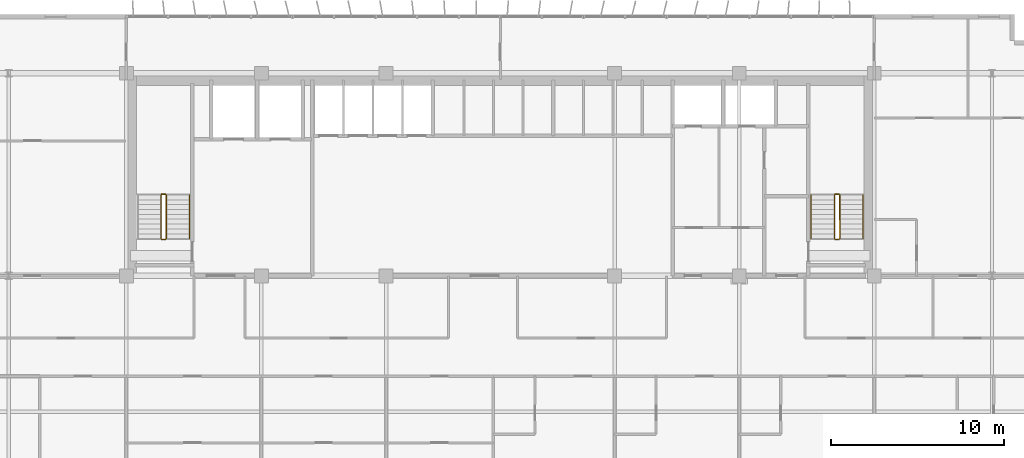
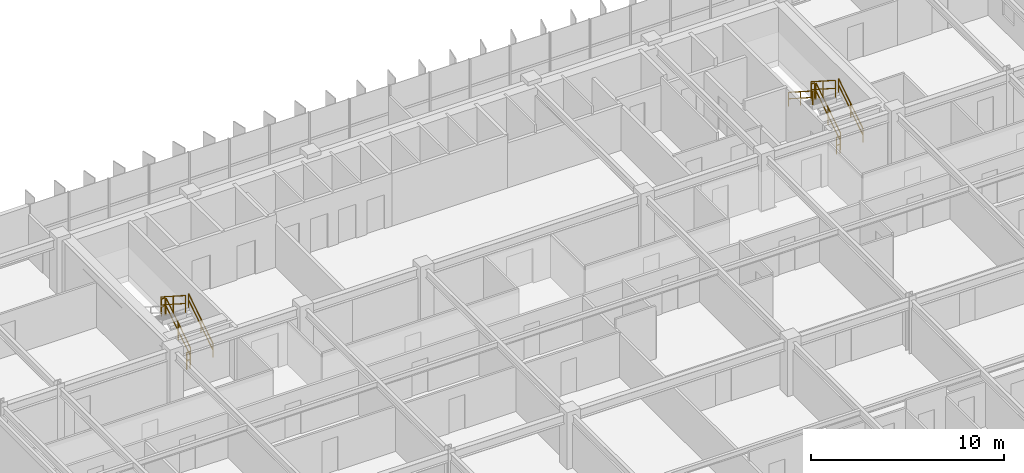
# One storey, part 21 of 22: 11 railings.
"""IFC4 building model written with IfcOpenShell, lengths in metres."""

from ifc_helpers import new_model, si_unit, direction, frame, origin, origin_2d, place, context, subcontext, project, spatial, rectangle, extrude, material, type_object, element, save


model = new_model("IFC4")

# Units and contexts
model_context = context("Model", 3, precision=1e-05, world=origin(), true_north=direction((0.0, 1.0)))
body_context = subcontext(model_context, "Body", "Model", "MODEL_VIEW")
ifc_project = project(units=[si_unit("LENGTHUNIT", "METRE"), si_unit("AREAUNIT", "SQUARE_METRE"), si_unit("VOLUMEUNIT", "CUBIC_METRE"), si_unit("PLANEANGLEUNIT", "RADIAN"), si_unit("MASSUNIT", "GRAM", prefix="KILO")], contexts=[model_context])

# Site, building, storey
site_placement = place(None, origin())
site = spatial("IfcSite", under=ifc_project, at=site_placement, CompositionType="ELEMENT")
building_placement = place(site_placement, origin())
building = spatial("IfcBuilding", under=site, at=building_placement, Name="Trelvane Seafront Commons", CompositionType="ELEMENT")
storey_placement = place(building_placement, frame((0.0, 0.0, 81.699951171875)))
storey = spatial("IfcBuildingStorey", under=building, at=storey_placement, Name="L20", CompositionType="ELEMENT", Elevation=81.699951171875)

# Railings
ifc_material = material(Name="Stainless steel balustrade", Category="steel")
railing_type_1 = type_object("IfcRailingType", Name="ARCH-SRL-GUARD", PredefinedType="GUARDRAIL", material=ifc_material)
railing_1_placement = place(storey_placement, frame((17.89990234375, 35.550048828125, 0.179931640625)))
element("IfcRailing", 1, at=railing_1_placement, inside=storey, type_object=railing_type_1, Name="L20 ST-1 stair guard 1", PredefinedType="GUARDRAIL", context=body_context, shape_type="SweptSolid", body=[
    extrude(rectangle(XDim=0.048095703125, YDim=0.048095703125, at=origin_2d()), frame((0.0, 0.0, 1.076171875), z_axis=(0.0, 0.841162588446, 0.540782303519), x_axis=(-1.0, 0.0, 0.0)), (0.0, 0.0, 1.0), 2.995849609375),
    extrude(rectangle(XDim=0.048095703125, YDim=0.048095703125, at=origin_2d()), frame((0.0, 0.0, 0.572021484375), z_axis=(0.0, 0.841162588446, 0.540782303519), x_axis=(-1.0, 0.0, 0.0)), (0.0, 0.0, 1.0), 2.995849609375),
    extrude(rectangle(XDim=0.0419921875, YDim=0.0419921875, at=origin_2d()), origin(), (0.0, 0.0, 1.0), 1.076171875),
    extrude(rectangle(XDim=0.0419921875, YDim=0.0419921875, at=origin_2d()), frame((0.0, 1.260009765625, 0.81005859375)), (0.0, 0.0, 1.0), 1.076171875),
    extrude(rectangle(XDim=0.0419921875, YDim=0.0419921875, at=origin_2d()), frame((0.0, 2.52001953125, 1.6201171875)), (0.0, 0.0, 1.0), 1.076171875),
])
railing_2_placement = place(storey_placement, frame((17.85009765625, 38.1201171875, 1.800048828125)))
element("IfcRailing", 2, at=railing_2_placement, inside=storey, type_object=railing_type_1, Name="L20 ST-1 stair guard 2", PredefinedType="GUARDRAIL", context=body_context, shape_type="SweptSolid", body=[
    extrude(rectangle(XDim=0.048095703125, YDim=0.048095703125, at=origin_2d()), frame((0.0, 0.0, 1.076171875), z_axis=(-1.0, 0.0, 0.0), x_axis=(0.0, -1.0, 0.0)), (0.0, 0.0, 1.0), 0.2001953125),
    extrude(rectangle(XDim=0.048095703125, YDim=0.048095703125, at=origin_2d()), frame((0.0, 0.0, 0.572021484375), z_axis=(-1.0, 0.0, 0.0), x_axis=(0.0, -1.0, 0.0)), (0.0, 0.0, 1.0), 0.2001953125),
    extrude(rectangle(XDim=0.0419921875, YDim=0.0419921875, at=origin_2d()), origin(), (0.0, 0.0, 1.0), 1.076171875),
    extrude(rectangle(XDim=0.0419921875, YDim=0.0419921875, at=origin_2d()), frame((-0.2001953125, 0.0, 0.0)), (0.0, 0.0, 1.0), 1.076171875),
])
railing_3_placement = place(storey_placement, frame((17.60009765625, 38.070068359375, 1.97998046875)))
element("IfcRailing", 3, at=railing_3_placement, inside=storey, type_object=railing_type_1, Name="L20 ST-1 stair guard 3", PredefinedType="GUARDRAIL", context=body_context, shape_type="SweptSolid", body=[
    extrude(rectangle(XDim=0.048095703125, YDim=0.048095703125, at=origin_2d()), frame((0.0, 0.0, 1.076171875), z_axis=(0.0, -0.841162588446, 0.540782303519), x_axis=(1.0, 0.0, 0.0)), (0.0, 0.0, 1.0), 2.995849609375),
    extrude(rectangle(XDim=0.048095703125, YDim=0.048095703125, at=origin_2d()), frame((0.0, 0.0, 0.572021484375), z_axis=(0.0, -0.841162588446, 0.540782303519), x_axis=(1.0, 0.0, 0.0)), (0.0, 0.0, 1.0), 2.995849609375),
    extrude(rectangle(XDim=0.0419921875, YDim=0.0419921875, at=origin_2d()), origin(), (0.0, 0.0, 1.0), 1.076171875),
    extrude(rectangle(XDim=0.0419921875, YDim=0.0419921875, at=origin_2d()), frame((0.0, -1.260009765625, 0.81005859375)), (0.0, 0.0, 1.0), 1.076171875),
    extrude(rectangle(XDim=0.0419921875, YDim=0.0419921875, at=origin_2d()), frame((0.0, -2.52001953125, 1.6201171875)), (0.0, 0.0, 1.0), 1.076171875),
])
railing_4_placement = place(storey_placement, frame((17.85009765625, 35.5, 0.0)))
element("IfcRailing", 4, at=railing_4_placement, inside=storey, type_object=railing_type_1, Name="L20 ST-1 stair guard 4", PredefinedType="GUARDRAIL", context=body_context, shape_type="SweptSolid", body=[
    extrude(rectangle(XDim=0.048095703125, YDim=0.048095703125, at=origin_2d()), frame((0.0, 0.0, 1.076171875), z_axis=(-1.0, 0.0, 0.0), x_axis=(0.0, -1.0, 0.0)), (0.0, 0.0, 1.0), 0.2001953125),
    extrude(rectangle(XDim=0.048095703125, YDim=0.048095703125, at=origin_2d()), frame((0.0, 0.0, 0.572021484375), z_axis=(-1.0, 0.0, 0.0), x_axis=(0.0, -1.0, 0.0)), (0.0, 0.0, 1.0), 0.2001953125),
    extrude(rectangle(XDim=0.0419921875, YDim=0.0419921875, at=origin_2d()), origin(), (0.0, 0.0, 1.0), 1.076171875),
    extrude(rectangle(XDim=0.0419921875, YDim=0.0419921875, at=origin_2d()), frame((-0.2001953125, 0.0, 0.0)), (0.0, 0.0, 1.0), 1.076171875),
])
railing_5_placement = place(storey_placement, frame((56.800048828125, 35.550048828125, 0.179931640625)))
element("IfcRailing", 5, at=railing_5_placement, inside=storey, type_object=railing_type_1, Name="L20 ST-2 stair guard 1", PredefinedType="GUARDRAIL", context=body_context, shape_type="SweptSolid", body=[
    extrude(rectangle(XDim=0.048095703125, YDim=0.048095703125, at=origin_2d()), frame((0.0, 0.0, 1.076171875), z_axis=(0.0, 0.841162588446, 0.540782303519), x_axis=(-1.0, 0.0, 0.0)), (0.0, 0.0, 1.0), 2.995849609375),
    extrude(rectangle(XDim=0.048095703125, YDim=0.048095703125, at=origin_2d()), frame((0.0, 0.0, 0.572021484375), z_axis=(0.0, 0.841162588446, 0.540782303519), x_axis=(-1.0, 0.0, 0.0)), (0.0, 0.0, 1.0), 2.995849609375),
    extrude(rectangle(XDim=0.0419921875, YDim=0.0419921875, at=origin_2d()), origin(), (0.0, 0.0, 1.0), 1.076171875),
    extrude(rectangle(XDim=0.0419921875, YDim=0.0419921875, at=origin_2d()), frame((0.0, 1.260009765625, 0.81005859375)), (0.0, 0.0, 1.0), 1.076171875),
    extrude(rectangle(XDim=0.0419921875, YDim=0.0419921875, at=origin_2d()), frame((0.0, 2.52001953125, 1.6201171875)), (0.0, 0.0, 1.0), 1.076171875),
])
railing_6_placement = place(storey_placement, frame((56.75, 38.1201171875, 1.800048828125)))
element("IfcRailing", 6, at=railing_6_placement, inside=storey, type_object=railing_type_1, Name="L20 ST-2 stair guard 2", PredefinedType="GUARDRAIL", context=body_context, shape_type="SweptSolid", body=[
    extrude(rectangle(XDim=0.048095703125, YDim=0.048095703125, at=origin_2d()), frame((0.0, 0.0, 1.076171875), z_axis=(-1.0, 0.0, 0.0), x_axis=(0.0, -1.0, 0.0)), (0.0, 0.0, 1.0), 0.199951171875),
    extrude(rectangle(XDim=0.048095703125, YDim=0.048095703125, at=origin_2d()), frame((0.0, 0.0, 0.572021484375), z_axis=(-1.0, 0.0, 0.0), x_axis=(0.0, -1.0, 0.0)), (0.0, 0.0, 1.0), 0.199951171875),
    extrude(rectangle(XDim=0.0419921875, YDim=0.0419921875, at=origin_2d()), origin(), (0.0, 0.0, 1.0), 1.076171875),
    extrude(rectangle(XDim=0.0419921875, YDim=0.0419921875, at=origin_2d()), frame((-0.199951171875, 0.0, 0.0)), (0.0, 0.0, 1.0), 1.076171875),
])
railing_7_placement = place(storey_placement, frame((56.5, 38.070068359375, 1.97998046875)))
element("IfcRailing", 7, at=railing_7_placement, inside=storey, type_object=railing_type_1, Name="L20 ST-2 stair guard 3", PredefinedType="GUARDRAIL", context=body_context, shape_type="SweptSolid", body=[
    extrude(rectangle(XDim=0.048095703125, YDim=0.048095703125, at=origin_2d()), frame((0.0, 0.0, 1.076171875), z_axis=(0.0, -0.841162588446, 0.540782303519), x_axis=(1.0, 0.0, 0.0)), (0.0, 0.0, 1.0), 2.995849609375),
    extrude(rectangle(XDim=0.048095703125, YDim=0.048095703125, at=origin_2d()), frame((0.0, 0.0, 0.572021484375), z_axis=(0.0, -0.841162588446, 0.540782303519), x_axis=(1.0, 0.0, 0.0)), (0.0, 0.0, 1.0), 2.995849609375),
    extrude(rectangle(XDim=0.0419921875, YDim=0.0419921875, at=origin_2d()), origin(), (0.0, 0.0, 1.0), 1.076171875),
    extrude(rectangle(XDim=0.0419921875, YDim=0.0419921875, at=origin_2d()), frame((0.0, -1.260009765625, 0.81005859375)), (0.0, 0.0, 1.0), 1.076171875),
    extrude(rectangle(XDim=0.0419921875, YDim=0.0419921875, at=origin_2d()), frame((0.0, -2.52001953125, 1.6201171875)), (0.0, 0.0, 1.0), 1.076171875),
])
railing_8_placement = place(storey_placement, frame((56.75, 35.5, 0.0)))
element("IfcRailing", 8, at=railing_8_placement, inside=storey, type_object=railing_type_1, Name="L20 ST-2 stair guard 4", PredefinedType="GUARDRAIL", context=body_context, shape_type="SweptSolid", body=[
    extrude(rectangle(XDim=0.048095703125, YDim=0.048095703125, at=origin_2d()), frame((0.0, 0.0, 1.076171875), z_axis=(-1.0, 0.0, 0.0), x_axis=(0.0, -1.0, 0.0)), (0.0, 0.0, 1.0), 0.199951171875),
    extrude(rectangle(XDim=0.048095703125, YDim=0.048095703125, at=origin_2d()), frame((0.0, 0.0, 0.572021484375), z_axis=(-1.0, 0.0, 0.0), x_axis=(0.0, -1.0, 0.0)), (0.0, 0.0, 1.0), 0.199951171875),
    extrude(rectangle(XDim=0.0419921875, YDim=0.0419921875, at=origin_2d()), origin(), (0.0, 0.0, 1.0), 1.076171875),
    extrude(rectangle(XDim=0.0419921875, YDim=0.0419921875, at=origin_2d()), frame((-0.199951171875, 0.0, 0.0)), (0.0, 0.0, 1.0), 1.076171875),
])
railing_type_2 = type_object("IfcRailingType", Name="ARCH-SRL-HAND", PredefinedType="HANDRAIL", material=ifc_material)
for number, where, name in (
    (9, (19.25, 35.550048828125, 0.179931640625), "L20 ST-1 stair handrail 1"),
    (10, (58.14990234375, 35.550048828125, 0.179931640625), "L20 ST-2 stair handrail 1"),
):
    element("IfcRailing", number, at=place(storey_placement, frame(where)), inside=storey, type_object=railing_type_2, Name=name, PredefinedType="HANDRAIL", context=body_context, shape_type="SweptSolid", body=[
        extrude(rectangle(XDim=0.048095703125, YDim=0.048095703125, at=origin_2d()), frame((0.0, 0.0, 0.8759765625), z_axis=(0.0, 0.841162588446, 0.540782303519), x_axis=(-1.0, 0.0, 0.0)), (0.0, 0.0, 1.0), 2.995849609375),
        extrude(rectangle(XDim=0.048095703125, YDim=0.048095703125, at=origin_2d()), frame((0.0, 0.0, 0.468017578125), z_axis=(0.0, 0.841162588446, 0.540782303519), x_axis=(-1.0, 0.0, 0.0)), (0.0, 0.0, 1.0), 2.995849609375),
        extrude(rectangle(XDim=0.0419921875, YDim=0.0419921875, at=origin_2d()), origin(), (0.0, 0.0, 1.0), 0.8759765625),
        extrude(rectangle(XDim=0.0419921875, YDim=0.0419921875, at=origin_2d()), frame((0.0, 1.260009765625, 0.81005859375)), (0.0, 0.0, 1.0), 0.8759765625),
        extrude(rectangle(XDim=0.0419921875, YDim=0.0419921875, at=origin_2d()), frame((0.0, 2.52001953125, 1.6201171875)), (0.0, 0.0, 1.0), 0.8759765625),
    ])
railing_9_placement = place(storey_placement, frame((55.14990234375, 38.070068359375, 1.97998046875)))
element("IfcRailing", 11, at=railing_9_placement, inside=storey, type_object=railing_type_2, Name="L20 ST-2 stair handrail 2", PredefinedType="HANDRAIL", context=body_context, shape_type="SweptSolid", body=[
    extrude(rectangle(XDim=0.048095703125, YDim=0.048095703125, at=origin_2d()), frame((0.0, 0.0, 0.8759765625), z_axis=(0.0, -0.841162588446, 0.540782303519), x_axis=(1.0, 0.0, 0.0)), (0.0, 0.0, 1.0), 2.995849609375),
    extrude(rectangle(XDim=0.048095703125, YDim=0.048095703125, at=origin_2d()), frame((0.0, 0.0, 0.468017578125), z_axis=(0.0, -0.841162588446, 0.540782303519), x_axis=(1.0, 0.0, 0.0)), (0.0, 0.0, 1.0), 2.995849609375),
    extrude(rectangle(XDim=0.0419921875, YDim=0.0419921875, at=origin_2d()), origin(), (0.0, 0.0, 1.0), 0.8759765625),
    extrude(rectangle(XDim=0.0419921875, YDim=0.0419921875, at=origin_2d()), frame((0.0, -1.260009765625, 0.81005859375)), (0.0, 0.0, 1.0), 0.8759765625),
    extrude(rectangle(XDim=0.0419921875, YDim=0.0419921875, at=origin_2d()), frame((0.0, -2.52001953125, 1.6201171875)), (0.0, 0.0, 1.0), 0.8759765625),
])

save(model, "model.ifc")
